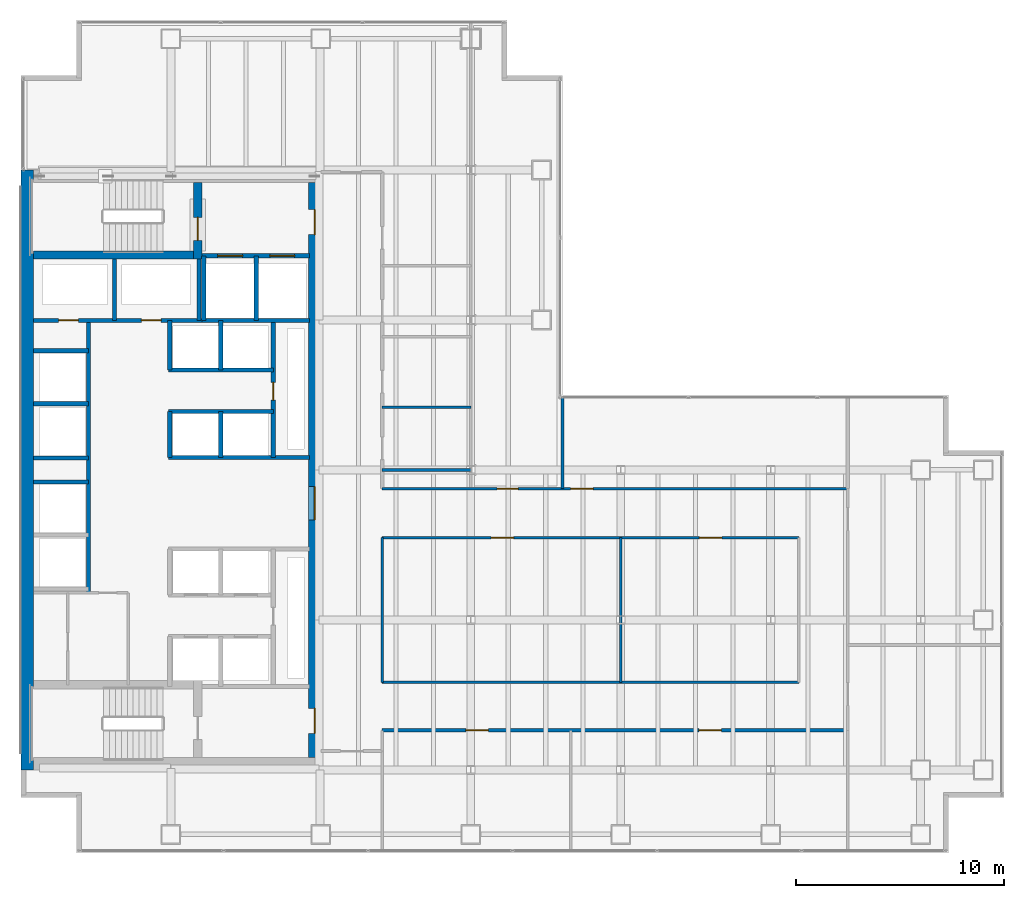
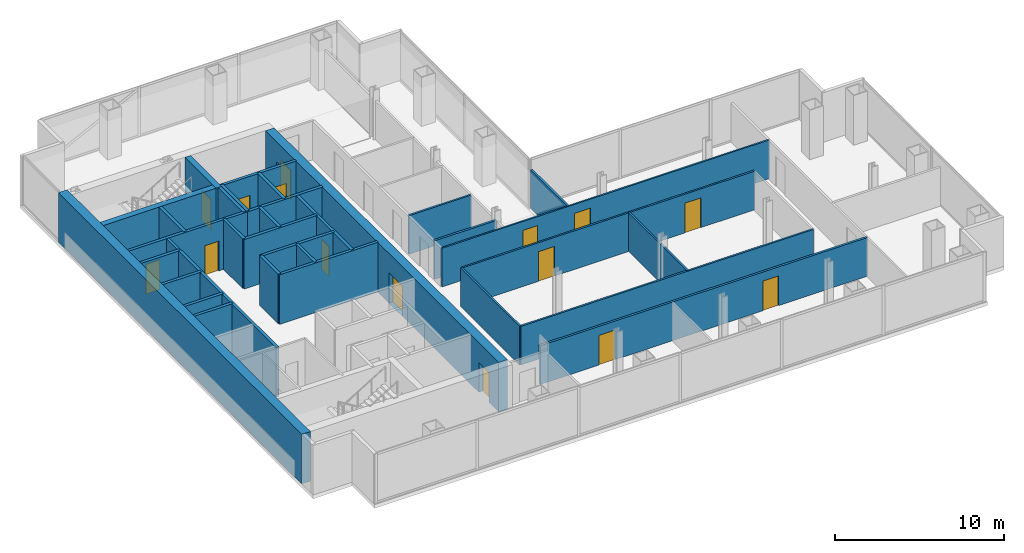
# One storey, part 21 of 23: 33 walls, 15 doors, 15 openings.
"""IFC4 building model written with IfcOpenShell, lengths in metres."""

from ifc_helpers import new_model, si_unit, direction, frame, frame_2d, origin, place, context, subcontext, project, spatial, rectangle, extrude, material, layer, layer_set, type_object, element, fill, save


model = new_model("IFC4")

# Units and contexts
model_context = context("Model", 3, precision=1e-05, world=origin(), true_north=direction((0.0, 1.0)))
body_context = subcontext(model_context, "Body", "Model", "MODEL_VIEW")
ifc_project = project(units=[si_unit("LENGTHUNIT", "METRE"), si_unit("AREAUNIT", "SQUARE_METRE"), si_unit("VOLUMEUNIT", "CUBIC_METRE"), si_unit("PLANEANGLEUNIT", "RADIAN"), si_unit("MASSUNIT", "GRAM", prefix="KILO")], contexts=[model_context])

# Site, building, storey
site_placement = place(None, origin())
site = spatial("IfcSite", under=ifc_project, at=site_placement, CompositionType="ELEMENT")
building_placement = place(site_placement, origin())
building = spatial("IfcBuilding", under=site, at=building_placement, Name="Cobrela Telecom Tower", CompositionType="ELEMENT")
storey_placement = place(building_placement, frame((0.0, 0.0, 102.199951171875)))
storey = spatial("IfcBuildingStorey", under=building, at=storey_placement, Name="L25", CompositionType="ELEMENT", Elevation=102.199951171875)

# Wall
ifc_material_1 = material(Name="Concrete C50/60", Category="concrete")
ifc_layer_1 = layer(ifc_material_1, 0.60009765625)
ifc_layer_set_1 = layer_set([ifc_layer_1], Name="Concrete C50/60")
wall_type_1 = type_object("IfcWallType", Name="WALL-CORE-C50-600", PredefinedType="SHEAR", material=ifc_layer_set_1)
wall_1_placement = place(storey_placement, frame((0.300048828125, 7.199951171875, 0.0), z_axis=(0.0, 0.0, 1.0), x_axis=(0.0, 1.0, 0.0)))
element("IfcWall", 1, at=wall_1_placement, inside=storey, type_object=wall_type_1, Name="L25 West Core Shear Wall", PredefinedType="SHEAR", context=body_context, shape_type="SweptSolid", body=[
    extrude(rectangle(XDim=28.800048828125, YDim=0.60009765625, at=frame_2d((14.39990234375, 0.0))), origin(), (0.0, 0.0, 1.0), 3.580078125),
])

# Wall, openings, doors
wall_2_placement = place(storey_placement, frame((14.10009765625, 35.39990234375, 0.0), z_axis=(0.0, 0.0, 1.0), x_axis=(0.0, -1.0, 0.0)))
wall_2 = element("IfcWall", 2, at=wall_2_placement, inside=storey, type_object=wall_type_1, Name="L25 East Core Shear Wall", PredefinedType="SHEAR", context=body_context, shape_type="SweptSolid", body=[
    extrude(rectangle(XDim=27.599853515625, YDim=0.60009765625, at=frame_2d((13.7998046875, 0.0))), origin(), (0.0, 0.0, 1.0), 3.580078125),
])
opening_1_placement = place(wall_2_placement, frame((1.300048828125, 0.0, 0.0)))
opening_1 = element("IfcOpeningElement", 3, at=opening_1_placement, cuts=wall_2, Name="Opening DR-19", PredefinedType="OPENING", context=body_context, shape_type="SweptSolid", body=[
    extrude(rectangle(XDim=1.199951171875, YDim=2.14990234375, at=frame_2d((0.60009765625, 1.074951171875))), frame((0.0, 0.31201171875, 0.0), z_axis=(0.0, -1.0, 0.0), x_axis=(1.0, 0.0, 0.0)), (0.0, 0.0, 1.0), 0.6240234375),
])
opening_2_placement = place(wall_2_placement, frame((25.25, 0.0, 0.0)))
opening_2 = element("IfcOpeningElement", 4, at=opening_2_placement, cuts=wall_2, Name="Opening DR-19", PredefinedType="OPENING", context=body_context, shape_type="SweptSolid", body=[
    extrude(rectangle(XDim=1.199951171875, YDim=2.14990234375, at=frame_2d((0.60009765625, 1.074951171875))), frame((0.0, 0.31201171875, 0.0), z_axis=(0.0, -1.0, 0.0), x_axis=(1.0, 0.0, 0.0)), (0.0, 0.0, 1.0), 0.6240234375),
])
opening_3_placement = place(wall_2_placement, frame((14.60009765625, 0.0, 0.0)))
opening_3 = element("IfcOpeningElement", 5, at=opening_3_placement, cuts=wall_2, Name="Opening DR-51", PredefinedType="OPENING", context=body_context, shape_type="SweptSolid", body=[
    extrude(rectangle(XDim=1.60009765625, YDim=2.199951171875, at=frame_2d((0.800048828125, 1.10009765625))), frame((0.0, 0.31201171875, 0.0), z_axis=(0.0, -1.0, 0.0), x_axis=(1.0, 0.0, 0.0)), (0.0, 0.0, 1.0), 0.6240234375),
])
ifc_material_2 = material(Name="Steel ASTM A36", Category="steel")
door_type_1 = type_object("IfcDoorType", Name="DOOR-FD60-1200", OperationType="SINGLE_SWING_LEFT", PredefinedType="DOOR", material=ifc_material_2)
door_1_placement = place(opening_1_placement, origin())
door_1 = element("IfcDoor", 6, at=door_1_placement, inside=storey, type_object=door_type_1, Name="L25 Door DR-19", OperationType="SINGLE_SWING_LEFT", OverallHeight=2.14990234375, OverallWidth=1.199951171875, PredefinedType="DOOR", context=body_context, shape_type="SweptSolid", body=[
    extrude(rectangle(XDim=1.199951171875, YDim=2.14990234375, at=frame_2d((0.60009765625, 1.074951171875))), frame((0.0, 0.02490234375, 0.0), z_axis=(0.0, -1.0, 0.0), x_axis=(1.0, 0.0, 0.0)), (0.0, 0.0, 1.0), 0.050048828125),
])
fill(opening_1, door_1)
door_2_placement = place(opening_2_placement, origin())
door_2 = element("IfcDoor", 7, at=door_2_placement, inside=storey, type_object=door_type_1, Name="L25 Door DR-19", OperationType="SINGLE_SWING_RIGHT", OverallHeight=2.14990234375, OverallWidth=1.199951171875, PredefinedType="DOOR", context=body_context, shape_type="SweptSolid", body=[
    extrude(rectangle(XDim=1.199951171875, YDim=2.14990234375, at=frame_2d((0.60009765625, 1.074951171875))), frame((0.0, 0.02490234375, 0.0), z_axis=(0.0, -1.0, 0.0), x_axis=(1.0, 0.0, 0.0)), (0.0, 0.0, 1.0), 0.050048828125),
])
fill(opening_2, door_2)
door_type_2 = type_object("IfcDoorType", Name="DOOR-FD60-1600", OperationType="SINGLE_SWING_LEFT", PredefinedType="DOOR", material=ifc_material_2)
door_3_placement = place(opening_3_placement, origin())
door_3 = element("IfcDoor", 8, at=door_3_placement, inside=storey, type_object=door_type_2, Name="L25 Door DR-51", OperationType="DOUBLE_DOOR_SINGLE_SWING", OverallHeight=2.199951171875, OverallWidth=1.60009765625, PredefinedType="DOOR", context=body_context, shape_type="SweptSolid", body=[
    extrude(rectangle(XDim=1.60009765625, YDim=2.199951171875, at=frame_2d((0.800048828125, 1.10009765625))), frame((0.0, 0.02490234375, 0.0), z_axis=(0.0, -1.0, 0.0), x_axis=(1.0, 0.0, 0.0)), (0.0, 0.0, 1.0), 0.050048828125),
])
fill(opening_3, door_3)

ifc_material_3 = material(Name="Fire-Rated Gypsum Plasterboard")
ifc_layer_2 = layer(ifc_material_3, 0.110107421875)
ifc_layer_set_2 = layer_set([ifc_layer_2], Name="Fire-Rated Gypsum Plasterboard")
wall_type_2 = type_object("IfcWallType", Name="WALL-PART-110", PredefinedType="PARTITIONING", material=ifc_layer_set_2)
wall_3_placement = place(storey_placement, frame((17.35009765625, 20.699951171875, 0.0), z_axis=(0.0, 0.0, 1.0), x_axis=(1.0, 0.0, 0.0)))
wall_3 = element("IfcWall", 9, at=wall_3_placement, inside=storey, type_object=wall_type_2, Name="L25 Interior Partition W-UN-N", PredefinedType="PARTITIONING", context=body_context, shape_type="SweptSolid", body=[
    extrude(rectangle(XDim=22.349853515625, YDim=0.110107421875, at=frame_2d((11.1748046875, 0.0))), origin(), (0.0, 0.0, 1.0), 2.79296875),
])
opening_4_placement = place(wall_3_placement, frame((5.52001953125, 0.0, 0.0)))
opening_4 = element("IfcOpeningElement", 10, at=opening_4_placement, cuts=wall_3, Name="Opening DR-31", PredefinedType="OPENING", context=body_context, shape_type="SweptSolid", body=[
    extrude(rectangle(XDim=1.0, YDim=2.14990234375, at=frame_2d((0.5, 1.074951171875))), frame((0.0, 0.06689453125, 0.0), z_axis=(0.0, -1.0, 0.0), x_axis=(1.0, 0.0, 0.0)), (0.0, 0.0, 1.0), 0.134033203125),
])
opening_5_placement = place(wall_3_placement, frame((9.050048828125, 0.0, 0.0)))
opening_5 = element("IfcOpeningElement", 11, at=opening_5_placement, cuts=wall_3, Name="Opening DR-63", PredefinedType="OPENING", context=body_context, shape_type="SweptSolid", body=[
    extrude(rectangle(XDim=1.080078125, YDim=2.14990234375, at=frame_2d((0.5400390625, 1.074951171875))), frame((0.0, 0.06689453125, 0.0), z_axis=(0.0, -1.0, 0.0), x_axis=(1.0, 0.0, 0.0)), (0.0, 0.0, 1.0), 0.134033203125),
])
ifc_material_4 = material(Name="Solid Engineered Oak Timber", Category="wood")
door_type_3 = type_object("IfcDoorType", Name="DOOR-INT-1000", OperationType="SINGLE_SWING_LEFT", PredefinedType="DOOR", material=ifc_material_4)
door_4_placement = place(opening_4_placement, origin())
door_4 = element("IfcDoor", 12, at=door_4_placement, inside=storey, type_object=door_type_3, Name="L25 Door DR-31", OperationType="SINGLE_SWING_LEFT", OverallHeight=2.14990234375, OverallWidth=1.0, PredefinedType="DOOR", context=body_context, shape_type="SweptSolid", body=[
    extrude(rectangle(XDim=1.0, YDim=2.14990234375, at=frame_2d((0.5, 1.074951171875))), frame((0.0, 0.02490234375, 0.0), z_axis=(0.0, -1.0, 0.0), x_axis=(1.0, 0.0, 0.0)), (0.0, 0.0, 1.0), 0.050048828125),
])
fill(opening_4, door_4)
door_type_4 = type_object("IfcDoorType", Name="DOOR-INT-1080", OperationType="SINGLE_SWING_LEFT", PredefinedType="DOOR", material=ifc_material_4)
door_5_placement = place(opening_5_placement, origin())
door_5 = element("IfcDoor", 13, at=door_5_placement, inside=storey, type_object=door_type_4, Name="L25 Door DR-63", OperationType="SINGLE_SWING_RIGHT", OverallHeight=2.14990234375, OverallWidth=1.080078125, PredefinedType="DOOR", context=body_context, shape_type="SweptSolid", body=[
    extrude(rectangle(XDim=1.080078125, YDim=2.14990234375, at=frame_2d((0.5400390625, 1.074951171875))), frame((0.0, 0.02490234375, 0.0), z_axis=(0.0, -1.0, 0.0), x_axis=(1.0, 0.0, 0.0)), (0.0, 0.0, 1.0), 0.050048828125),
])
fill(opening_5, door_5)

# Walls
ifc_layer_3 = layer(ifc_material_3, 0.125)
ifc_layer_set_3 = layer_set([ifc_layer_3], Name="Fire-Rated Gypsum Plasterboard")
wall_type_3 = type_object("IfcWallType", Name="WALL-PART-125", PredefinedType="PARTITIONING", material=ifc_layer_set_3)
wall_4_placement = place(storey_placement, frame((17.35009765625, 11.39990234375, 0.0), z_axis=(0.0, 0.0, 1.0), x_axis=(0.0, 1.0, 0.0)))
element("IfcWall", 14, at=wall_4_placement, inside=storey, type_object=wall_type_3, Name="L25 Interior Partition W-ISL-W", PredefinedType="PARTITIONING", context=body_context, shape_type="SweptSolid", body=[
    extrude(rectangle(XDim=6.9501953125, YDim=0.125, at=frame_2d((3.47509765625, 0.0))), origin(), (0.0, 0.0, 1.0), 2.79296875),
])
wall_5_placement = place(storey_placement, frame((17.35009765625, 11.39990234375, 0.0), z_axis=(0.0, 0.0, 1.0), x_axis=(1.0, 0.0, 0.0)))
element("IfcWall", 15, at=wall_5_placement, inside=storey, type_object=wall_type_3, Name="L25 Interior Partition W-ISL-S", PredefinedType="PARTITIONING", context=body_context, shape_type="SweptSolid", body=[
    extrude(rectangle(XDim=20.0, YDim=0.125, at=frame_2d((10.0, 0.0))), origin(), (0.0, 0.0, 1.0), 2.79296875),
])

# Wall, openings, doors
wall_6_placement = place(storey_placement, frame((17.35009765625, 18.35009765625, 0.0), z_axis=(0.0, 0.0, 1.0), x_axis=(1.0, 0.0, 0.0)))
wall_6 = element("IfcWall", 16, at=wall_6_placement, inside=storey, type_object=wall_type_3, Name="L25 Interior Partition W-ISL-N", PredefinedType="PARTITIONING", context=body_context, shape_type="SweptSolid", body=[
    extrude(rectangle(XDim=20.0, YDim=0.125, at=frame_2d((10.0, 0.0))), origin(), (0.0, 0.0, 1.0), 2.79296875),
])
opening_6_placement = place(wall_6_placement, frame((5.22998046875, 0.0, 0.0)))
opening_6 = element("IfcOpeningElement", 17, at=opening_6_placement, cuts=wall_6, Name="Opening DR-63", PredefinedType="OPENING", context=body_context, shape_type="SweptSolid", body=[
    extrude(rectangle(XDim=1.080078125, YDim=2.14990234375, at=frame_2d((0.5400390625, 1.074951171875))), frame((0.0, 0.074462890625, 0.0), z_axis=(0.0, -1.0, 0.0), x_axis=(1.0, 0.0, 0.0)), (0.0, 0.0, 1.0), 0.14892578125),
])
opening_7_placement = place(wall_6_placement, frame((15.22998046875, 0.0, 0.0)))
opening_7 = element("IfcOpeningElement", 18, at=opening_7_placement, cuts=wall_6, Name="Opening DR-63", PredefinedType="OPENING", context=body_context, shape_type="SweptSolid", body=[
    extrude(rectangle(XDim=1.080078125, YDim=2.14990234375, at=frame_2d((0.5400390625, 1.074951171875))), frame((0.0, 0.074462890625, 0.0), z_axis=(0.0, -1.0, 0.0), x_axis=(1.0, 0.0, 0.0)), (0.0, 0.0, 1.0), 0.14892578125),
])
door_6_placement = place(opening_6_placement, origin())
door_6 = element("IfcDoor", 19, at=door_6_placement, inside=storey, type_object=door_type_4, Name="L25 Door DR-63", OperationType="SINGLE_SWING_LEFT", OverallHeight=2.14990234375, OverallWidth=1.080078125, PredefinedType="DOOR", context=body_context, shape_type="SweptSolid", body=[
    extrude(rectangle(XDim=1.080078125, YDim=2.14990234375, at=frame_2d((0.5400390625, 1.074951171875))), frame((0.0, 0.02490234375, 0.0), z_axis=(0.0, -1.0, 0.0), x_axis=(1.0, 0.0, 0.0)), (0.0, 0.0, 1.0), 0.050048828125),
])
fill(opening_6, door_6)
door_7_placement = place(opening_7_placement, origin())
door_7 = element("IfcDoor", 20, at=door_7_placement, inside=storey, type_object=door_type_4, Name="L25 Door DR-63", OperationType="SINGLE_SWING_RIGHT", OverallHeight=2.14990234375, OverallWidth=1.080078125, PredefinedType="DOOR", context=body_context, shape_type="SweptSolid", body=[
    extrude(rectangle(XDim=1.080078125, YDim=2.14990234375, at=frame_2d((0.5400390625, 1.074951171875))), frame((0.0, 0.02490234375, 0.0), z_axis=(0.0, -1.0, 0.0), x_axis=(1.0, 0.0, 0.0)), (0.0, 0.0, 1.0), 0.050048828125),
])
fill(opening_7, door_7)

# Walls
wall_7_placement = place(storey_placement, frame((28.800048828125, 11.39990234375, 0.0), z_axis=(0.0, 0.0, 1.0), x_axis=(0.0, 1.0, 0.0)))
element("IfcWall", 21, at=wall_7_placement, inside=storey, type_object=wall_type_3, Name="L25 Interior Partition W-ISLV-1", PredefinedType="PARTITIONING", context=body_context, shape_type="SweptSolid", body=[
    extrude(rectangle(XDim=6.9501953125, YDim=0.125, at=frame_2d((3.47509765625, 0.0))), origin(), (0.0, 0.0, 1.0), 2.79296875),
])
wall_8_placement = place(storey_placement, frame((17.35009765625, 24.60009765625, 0.0), z_axis=(0.0, 0.0, 1.0), x_axis=(1.0, 0.0, 0.0)))
element("IfcWall", 22, at=wall_8_placement, inside=storey, type_object=wall_type_3, Name="L25 Interior Partition W-WC-1", PredefinedType="PARTITIONING", context=body_context, shape_type="SweptSolid", body=[
    extrude(rectangle(XDim=4.25, YDim=0.125, at=frame_2d((2.125, 0.0))), origin(), (0.0, 0.0, 1.0), 2.79296875),
])
ifc_layer_4 = layer(ifc_material_3, 0.135009765625)
ifc_layer_set_4 = layer_set([ifc_layer_4], Name="Fire-Rated Gypsum Plasterboard")
wall_type_4 = type_object("IfcWallType", Name="WALL-PART-135", PredefinedType="PARTITIONING", material=ifc_layer_set_4)
wall_9_placement = place(storey_placement, frame((26.0, 20.699951171875, 0.0), z_axis=(0.0, 0.0, 1.0), x_axis=(0.0, 1.0, 0.0)))
element("IfcWall", 23, at=wall_9_placement, inside=storey, type_object=wall_type_4, Name="L25 Interior Partition W-UEN-W", PredefinedType="PARTITIONING", context=body_context, shape_type="SweptSolid", body=[
    extrude(rectangle(XDim=4.380126953125, YDim=0.135009765625, at=frame_2d((2.18994140625, 0.0))), origin(), (0.0, 0.0, 1.0), 2.79296875),
])

# Wall, openings, doors
ifc_layer_5 = layer(ifc_material_3, 0.14990234375)
ifc_layer_set_5 = layer_set([ifc_layer_5], Name="Fire-Rated Gypsum Plasterboard")
wall_type_5 = type_object("IfcWallType", Name="WALL-PART-150", PredefinedType="PARTITIONING", material=ifc_layer_set_5)
wall_10_placement = place(storey_placement, frame((17.35009765625, 9.10009765625, 0.0), z_axis=(0.0, 0.0, 1.0), x_axis=(1.0, 0.0, 0.0)))
wall_10 = element("IfcWall", 24, at=wall_10_placement, inside=storey, type_object=wall_type_5, Name="L25 Interior Partition W-US-S", PredefinedType="PARTITIONING", context=body_context, shape_type="SweptSolid", body=[
    extrude(rectangle(XDim=22.349853515625, YDim=0.14990234375, at=frame_2d((11.1748046875, 0.0))), origin(), (0.0, 0.0, 1.0), 2.79296875),
])
opening_8_placement = place(wall_10_placement, frame((4.02001953125, 0.0, 0.0)))
opening_8 = element("IfcOpeningElement", 25, at=opening_8_placement, cuts=wall_10, Name="Opening DR-63", PredefinedType="OPENING", context=body_context, shape_type="SweptSolid", body=[
    extrude(rectangle(XDim=1.080078125, YDim=2.14990234375, at=frame_2d((0.5400390625, 1.074951171875))), frame((0.0, 0.0869140625, 0.0), z_axis=(0.0, -1.0, 0.0), x_axis=(1.0, 0.0, 0.0)), (0.0, 0.0, 1.0), 0.173828125),
])
opening_9_placement = place(wall_10_placement, frame((15.199951171875, 0.0, 0.0)))
opening_9 = element("IfcOpeningElement", 26, at=opening_9_placement, cuts=wall_10, Name="Opening DR-63", PredefinedType="OPENING", context=body_context, shape_type="SweptSolid", body=[
    extrude(rectangle(XDim=1.080078125, YDim=2.14990234375, at=frame_2d((0.5400390625, 1.074951171875))), frame((0.0, 0.0869140625, 0.0), z_axis=(0.0, -1.0, 0.0), x_axis=(1.0, 0.0, 0.0)), (0.0, 0.0, 1.0), 0.173828125),
])
door_8_placement = place(opening_8_placement, origin())
door_8 = element("IfcDoor", 27, at=door_8_placement, inside=storey, type_object=door_type_4, Name="L25 Door DR-63", OperationType="SINGLE_SWING_LEFT", OverallHeight=2.14990234375, OverallWidth=1.080078125, PredefinedType="DOOR", context=body_context, shape_type="SweptSolid", body=[
    extrude(rectangle(XDim=1.080078125, YDim=2.14990234375, at=frame_2d((0.5400390625, 1.074951171875))), frame((0.0, 0.02490234375, 0.0), z_axis=(0.0, -1.0, 0.0), x_axis=(1.0, 0.0, 0.0)), (0.0, 0.0, 1.0), 0.050048828125),
])
fill(opening_8, door_8)
door_9_placement = place(opening_9_placement, origin())
door_9 = element("IfcDoor", 28, at=door_9_placement, inside=storey, type_object=door_type_4, Name="L25 Door DR-63", OperationType="SINGLE_SWING_RIGHT", OverallHeight=2.14990234375, OverallWidth=1.080078125, PredefinedType="DOOR", context=body_context, shape_type="SweptSolid", body=[
    extrude(rectangle(XDim=1.080078125, YDim=2.14990234375, at=frame_2d((0.5400390625, 1.074951171875))), frame((0.0, 0.02490234375, 0.0), z_axis=(0.0, -1.0, 0.0), x_axis=(1.0, 0.0, 0.0)), (0.0, 0.0, 1.0), 0.050048828125),
])
fill(opening_9, door_9)

# Wall
wall_11_placement = place(storey_placement, frame((17.35009765625, 21.60009765625, 0.0), z_axis=(0.0, 0.0, 1.0), x_axis=(1.0, 0.0, 0.0)))
element("IfcWall", 29, at=wall_11_placement, inside=storey, type_object=wall_type_5, Name="L25 Interior Partition W-WC-B", PredefinedType="PARTITIONING", context=body_context, shape_type="SweptSolid", body=[
    extrude(rectangle(XDim=4.25, YDim=0.14990234375, at=frame_2d((2.125, 0.0))), origin(), (0.0, 0.0, 1.0), 2.79296875),
])

# Wall, openings, doors
ifc_layer_6 = layer(ifc_material_3, 0.199951171875)
ifc_layer_set_6 = layer_set([ifc_layer_6], Name="Fire-Rated Gypsum Plasterboard")
wall_type_6 = type_object("IfcWallType", Name="WALL-SHAFT-200", PredefinedType="PARTITIONING", material=ifc_layer_set_6)
wall_12_placement = place(storey_placement, frame((8.699951171875, 31.8798828125, 0.0), z_axis=(0.0, 0.0, 1.0), x_axis=(1.0, 0.0, 0.0)))
wall_12 = element("IfcWall", 30, at=wall_12_placement, inside=storey, type_object=wall_type_6, Name="L25 Shaft Enclosure CW-FFL-S", PredefinedType="PARTITIONING", context=body_context, shape_type="SweptSolid", body=[
    extrude(rectangle(XDim=5.150146484375, YDim=0.199951171875, at=frame_2d((2.5751953125, 0.0))), origin(), (0.0, 0.0, 1.0), 3.580078125),
])
opening_10_placement = place(wall_12_placement, frame((0.75, 0.0, 0.0)))
opening_10 = element("IfcOpeningElement", 31, at=opening_10_placement, cuts=wall_12, Name="Opening LD-2", PredefinedType="OPENING", context=body_context, shape_type="SweptSolid", body=[
    extrude(rectangle(XDim=1.199951171875, YDim=2.199951171875, at=frame_2d((0.60009765625, 1.10009765625))), frame((0.0, 0.11181640625, 0.0), z_axis=(0.0, -1.0, 0.0), x_axis=(1.0, 0.0, 0.0)), (0.0, 0.0, 1.0), 0.223876953125),
])
opening_11_placement = place(wall_12_placement, frame((3.25, 0.0, 0.0)))
opening_11 = element("IfcOpeningElement", 32, at=opening_11_placement, cuts=wall_12, Name="Opening LD-2", PredefinedType="OPENING", context=body_context, shape_type="SweptSolid", body=[
    extrude(rectangle(XDim=1.199951171875, YDim=2.199951171875, at=frame_2d((0.60009765625, 1.10009765625))), frame((0.0, 0.11181640625, 0.0), z_axis=(0.0, -1.0, 0.0), x_axis=(1.0, 0.0, 0.0)), (0.0, 0.0, 1.0), 0.223876953125),
])
door_type_5 = type_object("IfcDoorType", Name="DOOR-LD-FFL", OperationType="SINGLE_SWING_LEFT", PredefinedType="DOOR", material=ifc_material_2)
door_10_placement = place(opening_10_placement, origin())
door_10 = element("IfcDoor", 33, at=door_10_placement, inside=storey, type_object=door_type_5, Name="L25 Lift Landing Door LD-2", OperationType="DOUBLE_DOOR_SLIDING", OverallHeight=2.199951171875, OverallWidth=1.199951171875, PredefinedType="DOOR", context=body_context, shape_type="SweptSolid", body=[
    extrude(rectangle(XDim=1.199951171875, YDim=2.199951171875, at=frame_2d((0.60009765625, 1.10009765625))), frame((0.0, 0.02490234375, 0.0), z_axis=(0.0, -1.0, 0.0), x_axis=(1.0, 0.0, 0.0)), (0.0, 0.0, 1.0), 0.050048828125),
])
fill(opening_10, door_10)
door_11_placement = place(opening_11_placement, origin())
door_11 = element("IfcDoor", 34, at=door_11_placement, inside=storey, type_object=door_type_5, Name="L25 Lift Landing Door LD-2", OperationType="DOUBLE_DOOR_SLIDING", OverallHeight=2.199951171875, OverallWidth=1.199951171875, PredefinedType="DOOR", context=body_context, shape_type="SweptSolid", body=[
    extrude(rectangle(XDim=1.199951171875, YDim=2.199951171875, at=frame_2d((0.60009765625, 1.10009765625))), frame((0.0, 0.02490234375, 0.0), z_axis=(0.0, -1.0, 0.0), x_axis=(1.0, 0.0, 0.0)), (0.0, 0.0, 1.0), 0.050048828125),
])
fill(opening_11, door_11)

# Walls
wall_13_placement = place(storey_placement, frame((8.699951171875, 28.780029296875, 0.0), z_axis=(0.0, 0.0, 1.0), x_axis=(1.0, 0.0, 0.0)))
element("IfcWall", 35, at=wall_13_placement, inside=storey, type_object=wall_type_6, Name="L25 Shaft Enclosure CW-FFL-S2", PredefinedType="PARTITIONING", context=body_context, shape_type="SweptSolid", body=[
    extrude(rectangle(XDim=5.150146484375, YDim=0.199951171875, at=frame_2d((2.5751953125, 0.0))), origin(), (0.0, 0.0, 1.0), 3.580078125),
])
for number, where, z_axis, x_axis, name in (
    (36, (8.780029296875, 28.780029296875, 0.0), (0.0, 0.0, 1.0), (0.0, 1.0, 0.0), "L25 Shaft Enclosure CW-FFL-W"),
    (37, (11.300048828125, 28.780029296875, 0.0), (0.0, 0.0, 1.0), (0.0, 1.0, 0.0), "L25 Shaft Enclosure CW-FFL-M"),
):
    element("IfcWall", number, at=place(storey_placement, frame(where, z_axis=z_axis, x_axis=x_axis)), inside=storey, type_object=wall_type_6, Name=name, PredefinedType="PARTITIONING", context=body_context, shape_type="SweptSolid", body=[
        extrude(rectangle(XDim=3.099853515625, YDim=0.199951171875, at=frame_2d((1.5498046875, 0.0))), origin(), (0.0, 0.0, 1.0), 3.580078125),
    ])

# Wall, openings, doors
wall_14_placement = place(storey_placement, frame((0.60009765625, 28.780029296875, 0.0), z_axis=(0.0, 0.0, 1.0), x_axis=(1.0, 0.0, 0.0)))
wall_14 = element("IfcWall", 38, at=wall_14_placement, inside=storey, type_object=wall_type_6, Name="L25 Shaft Enclosure CW-RIS-S", PredefinedType="PARTITIONING", context=body_context, shape_type="SweptSolid", body=[
    extrude(rectangle(XDim=8.179931640625, YDim=0.199951171875, at=frame_2d((4.08984375, 0.0))), origin(), (0.0, 0.0, 1.0), 3.580078125),
])
opening_12_placement = place(wall_14_placement, frame((1.2099609375, 0.0, 0.0)))
opening_12 = element("IfcOpeningElement", 39, at=opening_12_placement, cuts=wall_14, Name="Opening DR-65", PredefinedType="OPENING", context=body_context, shape_type="SweptSolid", body=[
    extrude(rectangle(XDim=0.949951171875, YDim=2.14990234375, at=frame_2d((0.47509765625, 1.074951171875))), frame((0.0, 0.11181640625, 0.0), z_axis=(0.0, -1.0, 0.0), x_axis=(1.0, 0.0, 0.0)), (0.0, 0.0, 1.0), 0.223876953125),
])
opening_13_placement = place(wall_14_placement, frame((5.18994140625, 0.0, 0.0)))
opening_13 = element("IfcOpeningElement", 40, at=opening_13_placement, cuts=wall_14, Name="Opening DR-65", PredefinedType="OPENING", context=body_context, shape_type="SweptSolid", body=[
    extrude(rectangle(XDim=0.949951171875, YDim=2.14990234375, at=frame_2d((0.47509765625, 1.074951171875))), frame((0.0, 0.11181640625, 0.0), z_axis=(0.0, -1.0, 0.0), x_axis=(1.0, 0.0, 0.0)), (0.0, 0.0, 1.0), 0.223876953125),
])
door_type_6 = type_object("IfcDoorType", Name="DOOR-FD60-950", OperationType="SINGLE_SWING_LEFT", PredefinedType="DOOR", material=ifc_material_2)
door_12_placement = place(opening_12_placement, origin())
door_12 = element("IfcDoor", 41, at=door_12_placement, inside=storey, type_object=door_type_6, Name="L25 Door DR-65", OperationType="SINGLE_SWING_LEFT", OverallHeight=2.14990234375, OverallWidth=0.949951171875, PredefinedType="DOOR", context=body_context, shape_type="SweptSolid", body=[
    extrude(rectangle(XDim=0.949951171875, YDim=2.14990234375, at=frame_2d((0.47509765625, 1.074951171875))), frame((0.0, 0.02490234375, 0.0), z_axis=(0.0, -1.0, 0.0), x_axis=(1.0, 0.0, 0.0)), (0.0, 0.0, 1.0), 0.050048828125),
])
fill(opening_12, door_12)
door_13_placement = place(opening_13_placement, origin())
door_13 = element("IfcDoor", 42, at=door_13_placement, inside=storey, type_object=door_type_6, Name="L25 Door DR-65", OperationType="SINGLE_SWING_RIGHT", OverallHeight=2.14990234375, OverallWidth=0.949951171875, PredefinedType="DOOR", context=body_context, shape_type="SweptSolid", body=[
    extrude(rectangle(XDim=0.949951171875, YDim=2.14990234375, at=frame_2d((0.47509765625, 1.074951171875))), frame((0.0, 0.02490234375, 0.0), z_axis=(0.0, -1.0, 0.0), x_axis=(1.0, 0.0, 0.0)), (0.0, 0.0, 1.0), 0.050048828125),
])
fill(opening_13, door_13)

# Walls
for number, where, z_axis, x_axis, name in (
    (43, (4.5, 28.780029296875, 0.0), (0.0, 0.0, 1.0), (0.0, 1.0, 0.0), "L25 Shaft Enclosure CW-RIS-M"),
    (44, (8.550048828125, 28.780029296875, 0.0), (0.0, 0.0, 1.0), (0.0, 1.0, 0.0), "L25 Shaft Enclosure CW-RIS-E"),
):
    element("IfcWall", number, at=place(storey_placement, frame(where, z_axis=z_axis, x_axis=x_axis)), inside=storey, type_object=wall_type_6, Name=name, PredefinedType="PARTITIONING", context=body_context, shape_type="SweptSolid", body=[
        extrude(rectangle(XDim=2.93994140625, YDim=0.199951171875, at=frame_2d((1.469970703125, 0.0))), origin(), (0.0, 0.0, 1.0), 3.580078125),
    ])
wall_15_placement = place(storey_placement, frame((3.25, 15.699951171875, 0.0), z_axis=(0.0, 0.0, 1.0), x_axis=(0.0, 1.0, 0.0)))
element("IfcWall", 45, at=wall_15_placement, inside=storey, type_object=wall_type_6, Name="L25 Shaft Enclosure CW-PLH-E", PredefinedType="PARTITIONING", context=body_context, shape_type="SweptSolid", body=[
    extrude(rectangle(XDim=13.080078125, YDim=0.199951171875, at=frame_2d((6.5400390625, 0.0))), origin(), (0.0, 0.0, 1.0), 3.580078125),
])
for number, where, z_axis, x_axis, name in (
    (46, (0.60009765625, 22.179931640625, 0.0), (0.0, 0.0, 1.0), (1.0, 0.0, 0.0), "L25 Shaft Enclosure CW-PLH-D11"),
    (47, (0.60009765625, 24.780029296875, 0.0), (0.0, 0.0, 1.0), (1.0, 0.0, 0.0), "L25 Shaft Enclosure CW-PLH-D12"),
    (48, (0.60009765625, 21.02001953125, 0.0), (0.0, 0.0, 1.0), (1.0, 0.0, 0.0), "L25 Shaft Enclosure CW-PLH-MID"),
    (49, (0.60009765625, 27.320068359375, 0.0), (0.0, 0.0, 1.0), (1.0, 0.0, 0.0), "L25 Shaft Enclosure CW-PLH-TOP"),
):
    element("IfcWall", number, at=place(storey_placement, frame(where, z_axis=z_axis, x_axis=x_axis)), inside=storey, type_object=wall_type_6, Name=name, PredefinedType="PARTITIONING", context=body_context, shape_type="SweptSolid", body=[
        extrude(rectangle(XDim=2.64990234375, YDim=0.199951171875, at=frame_2d((1.324951171875, 0.0))), origin(), (0.0, 0.0, 1.0), 3.580078125),
    ])
wall_16_placement = place(storey_placement, frame((7.10009765625, 22.199951171875, 0.0), z_axis=(0.0, 0.0, 1.0), x_axis=(1.0, 0.0, 0.0)))
element("IfcWall", 50, at=wall_16_placement, inside=storey, type_object=wall_type_6, Name="L25 Shaft Enclosure CW-PLL-B0", PredefinedType="PARTITIONING", context=body_context, shape_type="SweptSolid", body=[
    extrude(rectangle(XDim=6.75, YDim=0.199951171875, at=frame_2d((3.375, 0.0))), origin(), (0.0, 0.0, 1.0), 3.580078125),
])
for number, where, z_axis, x_axis, name in (
    (51, (7.10009765625, 24.39990234375, 0.0), (0.0, 0.0, 1.0), (1.0, 0.0, 0.0), "L25 Shaft Enclosure CW-PLL-S"),
    (52, (7.10009765625, 26.39990234375, 0.0), (0.0, 0.0, 1.0), (1.0, 0.0, 0.0), "L25 Shaft Enclosure CW-PLL-N"),
):
    element("IfcWall", number, at=place(storey_placement, frame(where, z_axis=z_axis, x_axis=x_axis)), inside=storey, type_object=wall_type_6, Name=name, PredefinedType="PARTITIONING", context=body_context, shape_type="SweptSolid", body=[
        extrude(rectangle(XDim=5.02001953125, YDim=0.199951171875, at=frame_2d((2.510009765625, 0.0))), origin(), (0.0, 0.0, 1.0), 3.580078125),
    ])
wall_17_placement = place(storey_placement, frame((7.14990234375, 22.199951171875, 0.0), z_axis=(0.0, 0.0, 1.0), x_axis=(0.0, 1.0, 0.0)))
element("IfcWall", 53, at=wall_17_placement, inside=storey, type_object=wall_type_6, Name="L25 Shaft Enclosure CW-PLL-V1", PredefinedType="PARTITIONING", context=body_context, shape_type="SweptSolid", body=[
    extrude(rectangle(XDim=2.199951171875, YDim=0.199951171875, at=frame_2d((1.10009765625, 0.0))), origin(), (0.0, 0.0, 1.0), 3.580078125),
])
wall_18_placement = place(storey_placement, frame((7.14990234375, 26.39990234375, 0.0), z_axis=(0.0, 0.0, 1.0), x_axis=(0.0, 1.0, 0.0)))
element("IfcWall", 54, at=wall_18_placement, inside=storey, type_object=wall_type_6, Name="L25 Shaft Enclosure CW-PLL-V1B", PredefinedType="PARTITIONING", context=body_context, shape_type="SweptSolid", body=[
    extrude(rectangle(XDim=2.380126953125, YDim=0.199951171875, at=frame_2d((1.18994140625, 0.0))), origin(), (0.0, 0.0, 1.0), 3.580078125),
])
wall_19_placement = place(storey_placement, frame((9.60009765625, 22.199951171875, 0.0), z_axis=(0.0, 0.0, 1.0), x_axis=(0.0, 1.0, 0.0)))
element("IfcWall", 55, at=wall_19_placement, inside=storey, type_object=wall_type_6, Name="L25 Shaft Enclosure CW-PLL-V2", PredefinedType="PARTITIONING", context=body_context, shape_type="SweptSolid", body=[
    extrude(rectangle(XDim=2.199951171875, YDim=0.199951171875, at=frame_2d((1.10009765625, 0.0))), origin(), (0.0, 0.0, 1.0), 3.580078125),
])
wall_20_placement = place(storey_placement, frame((9.60009765625, 26.39990234375, 0.0), z_axis=(0.0, 0.0, 1.0), x_axis=(0.0, 1.0, 0.0)))
element("IfcWall", 56, at=wall_20_placement, inside=storey, type_object=wall_type_6, Name="L25 Shaft Enclosure CW-PLL-V2B", PredefinedType="PARTITIONING", context=body_context, shape_type="SweptSolid", body=[
    extrude(rectangle(XDim=2.380126953125, YDim=0.199951171875, at=frame_2d((1.18994140625, 0.0))), origin(), (0.0, 0.0, 1.0), 3.580078125),
])

# Wall, opening, door
wall_21_placement = place(storey_placement, frame((12.1201171875, 22.199951171875, 0.0), z_axis=(0.0, 0.0, 1.0), x_axis=(0.0, 1.0, 0.0)))
wall_21 = element("IfcWall", 57, at=wall_21_placement, inside=storey, type_object=wall_type_6, Name="L25 Shaft Enclosure CW-PLL-V3", PredefinedType="PARTITIONING", context=body_context, shape_type="SweptSolid", body=[
    extrude(rectangle(XDim=6.580078125, YDim=0.199951171875, at=frame_2d((3.2900390625, 0.0))), origin(), (0.0, 0.0, 1.0), 3.580078125),
])
opening_14_placement = place(wall_21_placement, frame((2.75, 0.0, 0.0)))
opening_14 = element("IfcOpeningElement", 58, at=opening_14_placement, cuts=wall_21, Name="Opening DR-11", PredefinedType="OPENING", context=body_context, shape_type="SweptSolid", body=[
    extrude(rectangle(XDim=0.85009765625, YDim=2.14990234375, at=frame_2d((0.425048828125, 1.074951171875))), frame((0.0, 0.11181640625, 0.0), z_axis=(0.0, -1.0, 0.0), x_axis=(1.0, 0.0, 0.0)), (0.0, 0.0, 1.0), 0.223876953125),
])
door_type_7 = type_object("IfcDoorType", Name="DOOR-INT-850", OperationType="SINGLE_SWING_LEFT", PredefinedType="DOOR", material=ifc_material_4)
door_14_placement = place(opening_14_placement, origin())
door_14 = element("IfcDoor", 59, at=door_14_placement, inside=storey, type_object=door_type_7, Name="L25 Door DR-11", OperationType="SINGLE_SWING_LEFT", OverallHeight=2.14990234375, OverallWidth=0.85009765625, PredefinedType="DOOR", context=body_context, shape_type="SweptSolid", body=[
    extrude(rectangle(XDim=0.85009765625, YDim=2.14990234375, at=frame_2d((0.425048828125, 1.074951171875))), frame((0.0, 0.02490234375, 0.0), z_axis=(0.0, -1.0, 0.0), x_axis=(1.0, 0.0, 0.0)), (0.0, 0.0, 1.0), 0.050048828125),
])
fill(opening_14, door_14)

# Wall
ifc_material_5 = material(Name="Concrete C40/50", Category="concrete")
ifc_layer_7 = layer(ifc_material_5, 0.39990234375)
ifc_layer_set_7 = layer_set([ifc_layer_7], Name="Concrete C40/50")
wall_type_7 = type_object("IfcWallType", Name="WALL-SHAFT-C40-400", PredefinedType="SHEAR", material=ifc_layer_set_7)
wall_22_placement = place(storey_placement, frame((0.60009765625, 31.919921875, 0.0), z_axis=(0.0, 0.0, 1.0), x_axis=(1.0, 0.0, 0.0)))
element("IfcWall", 60, at=wall_22_placement, inside=storey, type_object=wall_type_7, Name="L25 North Stair Shear Wall", PredefinedType="SHEAR", context=body_context, shape_type="SweptSolid", body=[
    extrude(rectangle(XDim=7.699951171875, YDim=0.39990234375, at=frame_2d((3.85009765625, 0.0))), origin(), (0.0, 0.0, 1.0), 3.580078125),
])

# Wall, opening, door
wall_23_placement = place(storey_placement, frame((8.5, 31.719970703125, 0.0), z_axis=(0.0, 0.0, 1.0), x_axis=(0.0, 1.0, 0.0)))
wall_23 = element("IfcWall", 61, at=wall_23_placement, inside=storey, type_object=wall_type_7, Name="L25 North Stair Lobby Shear Wall", PredefinedType="SHEAR", context=body_context, shape_type="SweptSolid", body=[
    extrude(rectangle(XDim=3.679931640625, YDim=0.39990234375, at=frame_2d((1.83984375, 0.0))), origin(), (0.0, 0.0, 1.0), 3.580078125),
])
opening_15_placement = place(wall_23_placement, frame((0.89990234375, 0.0, 0.0)))
opening_15 = element("IfcOpeningElement", 62, at=opening_15_placement, cuts=wall_23, Name="Opening DR-59", PredefinedType="OPENING", context=body_context, shape_type="SweptSolid", body=[
    extrude(rectangle(XDim=1.10009765625, YDim=2.14990234375, at=frame_2d((0.550048828125, 1.074951171875))), frame((0.0, 0.2119140625, 0.0), z_axis=(0.0, -1.0, 0.0), x_axis=(1.0, 0.0, 0.0)), (0.0, 0.0, 1.0), 0.423828125),
])
door_type_8 = type_object("IfcDoorType", Name="DOOR-FD60-1100", OperationType="SINGLE_SWING_LEFT", PredefinedType="DOOR", material=ifc_material_2)
door_15_placement = place(opening_15_placement, origin())
door_15 = element("IfcDoor", 63, at=door_15_placement, inside=storey, type_object=door_type_8, Name="L25 Door DR-59", OperationType="SINGLE_SWING_RIGHT", OverallHeight=2.14990234375, OverallWidth=1.10009765625, PredefinedType="DOOR", context=body_context, shape_type="SweptSolid", body=[
    extrude(rectangle(XDim=1.10009765625, YDim=2.14990234375, at=frame_2d((0.550048828125, 1.074951171875))), frame((0.0, 0.02490234375, 0.0), z_axis=(0.0, -1.0, 0.0), x_axis=(1.0, 0.0, 0.0)), (0.0, 0.0, 1.0), 0.050048828125),
])
fill(opening_15, door_15)

save(model, "model.ifc")
